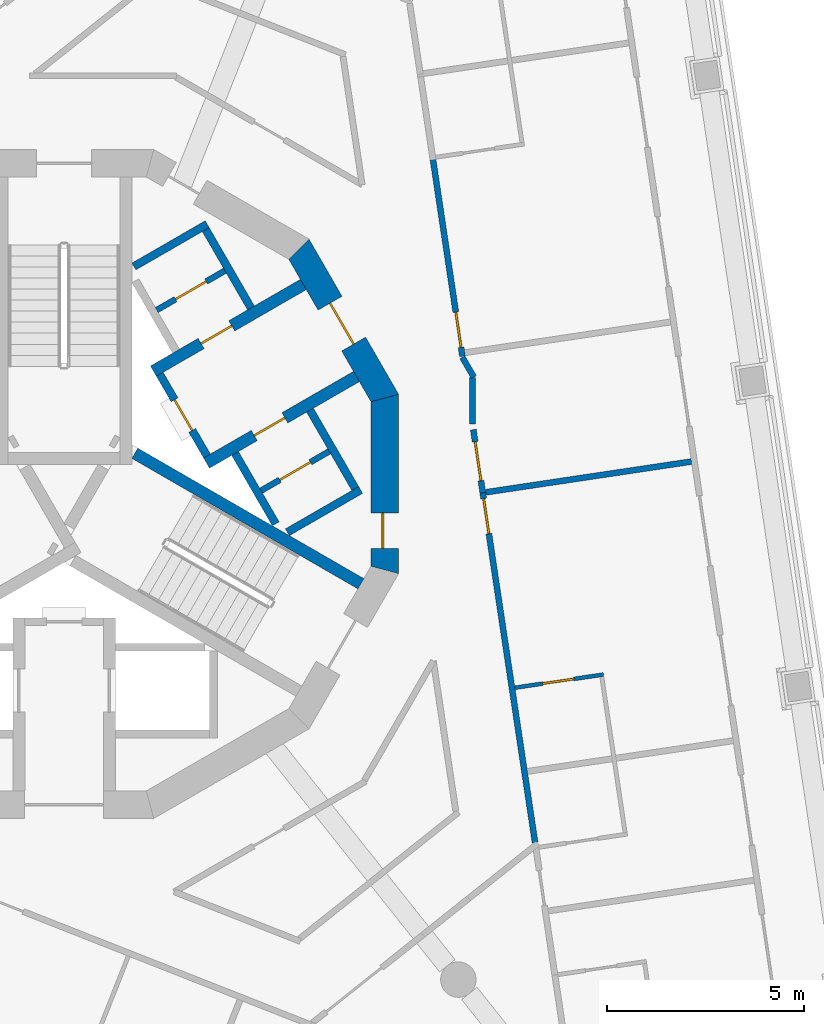
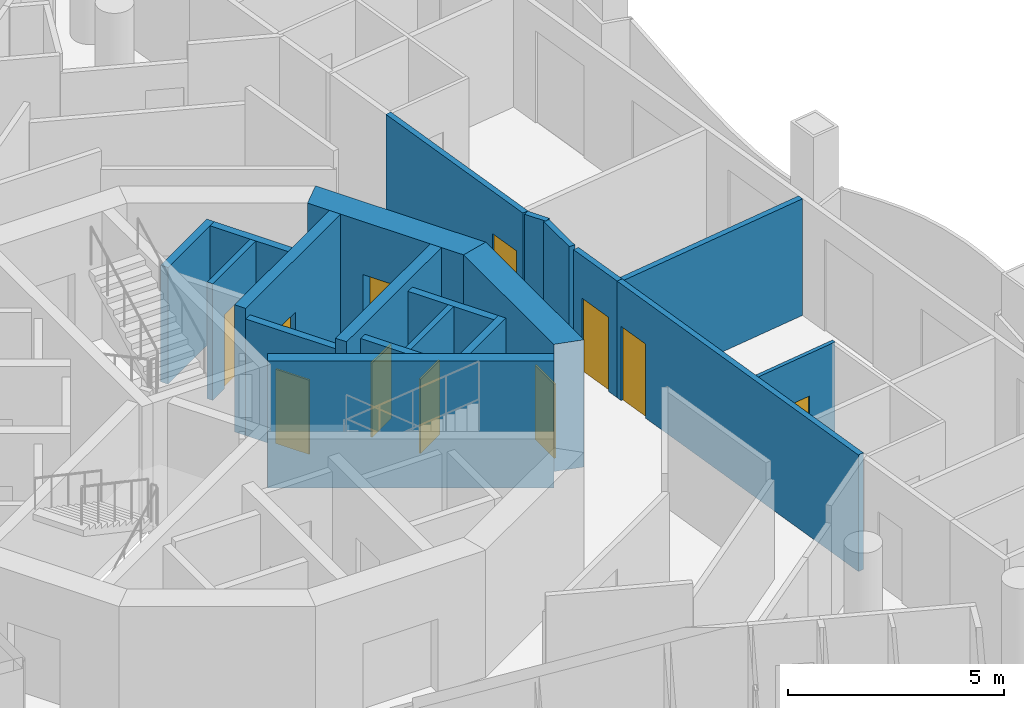
# One storey, part 6 of 16: 20 walls, 11 doors, 11 openings.
"""IFC4 building model written with IfcOpenShell, lengths in metres."""

from ifc_helpers import new_model, si_unit, direction, frame, frame_2d, origin, place, context, subcontext, project, spatial, polyline, rectangle, outline, extrude, material, layer, layer_set, type_object, element, fill, save


model = new_model("IFC4")

# Units and contexts
model_context = context("Model", 3, precision=1e-05, world=origin(), true_north=direction((0.0, 1.0)))
body_context = subcontext(model_context, "Body", "Model", "MODEL_VIEW")
ifc_project = project(units=[si_unit("LENGTHUNIT", "METRE"), si_unit("AREAUNIT", "SQUARE_METRE"), si_unit("VOLUMEUNIT", "CUBIC_METRE"), si_unit("PLANEANGLEUNIT", "RADIAN"), si_unit("MASSUNIT", "GRAM", prefix="KILO")], contexts=[model_context])

# Site, building, storey
site_placement = place(None, origin())
site = spatial("IfcSite", under=ifc_project, at=site_placement, CompositionType="ELEMENT")
building_placement = place(site_placement, origin())
building = spatial("IfcBuilding", under=site, at=building_placement, Name="Trine Commons Tower", CompositionType="ELEMENT")
storey_placement = place(building_placement, frame((0.0, 0.0, 205.199951171875)))
storey = spatial("IfcBuildingStorey", under=building, at=storey_placement, Name="L53", CompositionType="ELEMENT", Elevation=205.199951171875)

# Wall, opening, door
ifc_material_1 = material(Name="Plasterboard partition on steel studs", Category="steel")
ifc_layer_1 = layer(ifc_material_1, 0.14990234375)
ifc_layer_set_1 = layer_set([ifc_layer_1], Name="Plasterboard partition on steel studs")
wall_type_1 = type_object("IfcWallType", Name="Core room partition 150 mm, EI 60", PredefinedType="PARTITIONING", material=ifc_layer_set_1)
wall_1_placement = place(storey_placement, frame((82.35498046875, 66.919921875, 0.0), z_axis=(0.0, 0.0, 1.0), x_axis=(0.866010750942, 0.50002537861, 0.0)))
wall_1 = element("IfcWall", 1, at=wall_1_placement, inside=storey, type_object=wall_type_1, Name="Core room partition L53", PredefinedType="PARTITIONING", context=body_context, shape_type="SweptSolid", body=[
    extrude(rectangle(XDim=2.0, YDim=0.14990234375, at=frame_2d((1.0, 0.0))), origin(), (0.0, 0.0, 1.0), 3.300048828125),
])
opening_1_placement = place(wall_1_placement, frame((0.550537109375, 0.0, 0.0)))
opening_1 = element("IfcOpeningElement", 2, at=opening_1_placement, cuts=wall_1, Name="Opening K15.11", PredefinedType="OPENING", context=body_context, shape_type="SweptSolid", body=[
    extrude(rectangle(XDim=0.89990234375, YDim=2.10009765625, at=frame_2d((0.449951171875, 1.050048828125))), frame((0.0, 0.0849609375, 0.0), z_axis=(0.0, -1.0, 0.0), x_axis=(1.0, 0.0, 0.0)), (0.0, 0.0, 1.0), 0.169921875),
])
ifc_material_2 = material(Name="Steel door leaf, fire-rated", Category="steel")
door_type_1 = type_object("IfcDoorType", Name="Core room door, single leaf 900 x 2100, FD30S", OperationType="SINGLE_SWING_LEFT", PredefinedType="DOOR", material=ifc_material_2)
door_1_placement = place(opening_1_placement, origin())
door_1 = element("IfcDoor", 3, at=door_1_placement, inside=storey, type_object=door_type_1, Name="Door to Parcel store L53", OperationType="SINGLE_SWING_RIGHT", OverallHeight=2.10009765625, OverallWidth=0.89990234375, PredefinedType="DOOR", context=body_context, shape_type="SweptSolid", body=[
    extrude(rectangle(XDim=0.89990234375, YDim=2.10009765625, at=frame_2d((0.449951171875, 1.050048828125))), frame((0.0, 0.02490234375, 0.0), z_axis=(0.0, -1.0, 0.0), x_axis=(1.0, 0.0, 0.0)), (0.0, 0.0, 1.0), 0.050048828125),
])
fill(opening_1, door_1)

wall_2_placement = place(storey_placement, frame((85.006103515625, 62.330078125, 0.0), z_axis=(0.0, 0.0, 1.0), x_axis=(0.866010750942, 0.50002537861, 0.0)))
wall_2 = element("IfcWall", 4, at=wall_2_placement, inside=storey, type_object=wall_type_1, Name="Core room partition L53", PredefinedType="PARTITIONING", context=body_context, shape_type="SweptSolid", body=[
    extrude(rectangle(XDim=2.0, YDim=0.14990234375, at=frame_2d((1.0, 0.0))), origin(), (0.0, 0.0, 1.0), 3.300048828125),
])
opening_2_placement = place(wall_2_placement, frame((0.549560546875, 0.0, 0.0)))
opening_2 = element("IfcOpeningElement", 5, at=opening_2_placement, cuts=wall_2, Name="Opening K15.13", PredefinedType="OPENING", context=body_context, shape_type="SweptSolid", body=[
    extrude(rectangle(XDim=0.89990234375, YDim=2.10009765625, at=frame_2d((0.449951171875, 1.050048828125))), frame((0.0, 0.0849609375, 0.0), z_axis=(0.0, -1.0, 0.0), x_axis=(1.0, 0.0, 0.0)), (0.0, 0.0, 1.0), 0.169921875),
])
door_2_placement = place(opening_2_placement, frame((0.89990234375, 0.0, 0.0), z_axis=(0.0, 0.0, 1.0), x_axis=(-1.0, 0.0, 0.0)))
door_2 = element("IfcDoor", 6, at=door_2_placement, inside=storey, type_object=door_type_1, Name="Door to Print room L53", OperationType="SINGLE_SWING_LEFT", OverallHeight=2.10009765625, OverallWidth=0.89990234375, PredefinedType="DOOR", context=body_context, shape_type="SweptSolid", body=[
    extrude(rectangle(XDim=0.89990234375, YDim=2.10009765625, at=frame_2d((0.449951171875, 1.050048828125))), frame((0.0, 0.02490234375, 0.0), z_axis=(0.0, -1.0, 0.0), x_axis=(1.0, 0.0, 0.0)), (0.0, 0.0, 1.0), 0.050048828125),
])
fill(opening_2, door_2)

ifc_material_3 = material(Name="Fire-rated gypsum shaft wall system")
ifc_layer_2 = layer(ifc_material_3, 0.199951171875)
ifc_layer_set_2 = layer_set([ifc_layer_2], Name="Fire-rated gypsum shaft wall system")
wall_type_2 = type_object("IfcWallType", Name="Lobby end wall 200 mm, EI 120", PredefinedType="PARTITIONING", material=ifc_layer_set_2)
wall_3_placement = place(storey_placement, frame((83.631103515625, 63.2109375, 0.0), z_axis=(0.0, 0.0, 1.0), x_axis=(-0.50012165622, 0.865955154139, 0.0)))
wall_3 = element("IfcWall", 7, at=wall_3_placement, inside=storey, type_object=wall_type_2, Name="Lobby end wall L53", PredefinedType="PARTITIONING", context=body_context, shape_type="SweptSolid", body=[
    extrude(rectangle(XDim=2.39990234375, YDim=0.199951171875, at=frame_2d((1.199951171875, 0.0))), origin(), (0.0, 0.0, 1.0), 3.300048828125),
])
opening_3_placement = place(wall_3_placement, frame((0.749755859375, 0.0, 0.0)))
opening_3 = element("IfcOpeningElement", 8, at=opening_3_placement, cuts=wall_3, Name="Opening K15.05", PredefinedType="OPENING", context=body_context, shape_type="SweptSolid", body=[
    extrude(rectangle(XDim=0.89990234375, YDim=2.10009765625, at=frame_2d((0.449951171875, 1.050048828125))), frame((0.0, 0.10986328125, 0.0), z_axis=(0.0, -1.0, 0.0), x_axis=(1.0, 0.0, 0.0)), (0.0, 0.0, 1.0), 0.219970703125),
])
door_type_2 = type_object("IfcDoorType", Name="Riser access door, single leaf 900 x 2100, FD60", OperationType="SINGLE_SWING_LEFT", PredefinedType="DOOR", material=ifc_material_2)
door_3_placement = place(opening_3_placement, frame((0.89990234375, 0.0, 0.0), z_axis=(0.0, 0.0, 1.0), x_axis=(-1.0, 0.0, 0.0)))
door_3 = element("IfcDoor", 9, at=door_3_placement, inside=storey, type_object=door_type_2, Name="Riser door, Electrical riser L53", OperationType="SINGLE_SWING_LEFT", OverallHeight=2.10009765625, OverallWidth=0.89990234375, PredefinedType="DOOR", context=body_context, shape_type="SweptSolid", body=[
    extrude(rectangle(XDim=0.89990234375, YDim=2.10009765625, at=frame_2d((0.449951171875, 1.050048828125))), frame((0.0, 0.02490234375, 0.0), z_axis=(0.0, -1.0, 0.0), x_axis=(1.0, 0.0, 0.0)), (0.0, 0.0, 1.0), 0.050048828125),
])
fill(opening_3, door_3)

ifc_material_4 = material(Name="Concrete C60/75", Category="concrete")
ifc_layer_3 = layer(ifc_material_4, 0.300048828125)
ifc_layer_set_3 = layer_set([ifc_layer_3], Name="Concrete C60/75")
wall_type_3 = type_object("IfcWallType", Name="RC shear wall 300 mm, C60/75", PredefinedType="SHEAR", material=ifc_layer_set_3)
wall_4_placement = place(storey_placement, frame((82.26904296875, 65.368896484375, 0.0), z_axis=(0.0, 0.0, 1.0), x_axis=(0.866035918664, 0.499981787252, 0.0)))
wall_4 = element("IfcWall", 10, at=wall_4_placement, inside=storey, type_object=wall_type_3, Name="Core cross wall SWC-05 L53", PredefinedType="SHEAR", context=body_context, shape_type="SweptSolid", body=[
    extrude(rectangle(XDim=4.400634765625, YDim=0.300048828125, at=frame_2d((2.2001953125, 0.0))), origin(), (0.0, 0.0, 1.0), 3.60009765625),
])
opening_4_placement = place(wall_4_placement, frame((1.400390625, 0.0, 0.0)))
opening_4 = element("IfcOpeningElement", 11, at=opening_4_placement, cuts=wall_4, Name="Opening K15.10", PredefinedType="OPENING", context=body_context, shape_type="SweptSolid", body=[
    extrude(rectangle(XDim=0.89990234375, YDim=2.10009765625, at=frame_2d((0.449951171875, 1.050048828125))), frame((0.0, 0.159912109375, 0.0), z_axis=(0.0, -1.0, 0.0), x_axis=(1.0, 0.0, 0.0)), (0.0, 0.0, 1.0), 0.320068359375),
])
door_4_placement = place(opening_4_placement, origin())
door_4 = element("IfcDoor", 12, at=door_4_placement, inside=storey, type_object=door_type_1, Name="Door to Comms room L53", OperationType="SINGLE_SWING_LEFT", OverallHeight=2.10009765625, OverallWidth=0.89990234375, PredefinedType="DOOR", context=body_context, shape_type="SweptSolid", body=[
    extrude(rectangle(XDim=0.89990234375, YDim=2.10009765625, at=frame_2d((0.449951171875, 1.050048828125))), frame((0.0, 0.02490234375, 0.0), z_axis=(0.0, -1.0, 0.0), x_axis=(1.0, 0.0, 0.0)), (0.0, 0.0, 1.0), 0.050048828125),
])
fill(opening_4, door_4)

wall_5_placement = place(storey_placement, frame((83.618896484375, 63.031005859375, 0.0), z_axis=(0.0, 0.0, 1.0), x_axis=(0.866059941101, 0.499940174841, 0.0)))
wall_5 = element("IfcWall", 13, at=wall_5_placement, inside=storey, type_object=wall_type_3, Name="Core cross wall SWC-06 L53", PredefinedType="SHEAR", context=body_context, shape_type="SweptSolid", body=[
    extrude(rectangle(XDim=4.400390625, YDim=0.300048828125, at=frame_2d((2.2001953125, 0.0))), origin(), (0.0, 0.0, 1.0), 3.60009765625),
])
opening_5_placement = place(wall_5_placement, frame((1.400390625, 0.0, 0.0)))
opening_5 = element("IfcOpeningElement", 14, at=opening_5_placement, cuts=wall_5, Name="Opening K15.12", PredefinedType="OPENING", context=body_context, shape_type="SweptSolid", body=[
    extrude(rectangle(XDim=0.89990234375, YDim=2.10009765625, at=frame_2d((0.449951171875, 1.050048828125))), frame((0.0, 0.159912109375, 0.0), z_axis=(0.0, -1.0, 0.0), x_axis=(1.0, 0.0, 0.0)), (0.0, 0.0, 1.0), 0.320068359375),
])
door_5_placement = place(opening_5_placement, frame((0.89990234375, 0.0, 0.0), z_axis=(0.0, 0.0, 1.0), x_axis=(-1.0, 0.0, 0.0)))
door_5 = element("IfcDoor", 15, at=door_5_placement, inside=storey, type_object=door_type_1, Name="Door to Cleaner's store L53", OperationType="SINGLE_SWING_LEFT", OverallHeight=2.10009765625, OverallWidth=0.89990234375, PredefinedType="DOOR", context=body_context, shape_type="SweptSolid", body=[
    extrude(rectangle(XDim=0.89990234375, YDim=2.10009765625, at=frame_2d((0.449951171875, 1.050048828125))), frame((0.0, 0.02490234375, 0.0), z_axis=(0.0, -1.0, 0.0), x_axis=(1.0, 0.0, 0.0)), (0.0, 0.0, 1.0), 0.050048828125),
])
fill(opening_5, door_5)

# Wall
wall_6_placement = place(storey_placement, frame((81.800048828125, 63.280029296875, 0.0), z_axis=(0.0, 0.0, 1.0), x_axis=(0.866009627307, -0.500027324665, 0.0)))
element("IfcWall", 16, at=wall_6_placement, inside=storey, type_object=wall_type_3, Name="Core cross wall SWC-18 L53", PredefinedType="SHEAR", context=body_context, shape_type="SweptSolid", body=[
    extrude(rectangle(XDim=6.631591796875, YDim=0.300048828125, at=frame_2d((3.31591796875, 0.0))), origin(), (0.0, 0.0, 1.0), 3.60009765625),
])

# Wall, opening, door
ifc_layer_4 = layer(ifc_material_4, 0.699951171875)
ifc_layer_set_4 = layer_set([ifc_layer_4], Name="Concrete C60/75")
wall_type_4 = type_object("IfcWallType", Name="RC shear wall 700 mm, C60/75", PredefinedType="SHEAR", material=ifc_layer_set_4)
wall_7_placement = place(storey_placement, frame((88.150146484375, 60.222412109375, 0.0), z_axis=(0.0, 0.0, 1.0), x_axis=(0.0, 1.0, 0.0)))
wall_7 = element("IfcWall", 17, at=wall_7_placement, inside=storey, type_object=wall_type_4, Name="Core wall CWF-01 L53", PredefinedType="SHEAR", context=body_context, shape_type="SweptSolid", body=[
    extrude(outline(polyline([(0.0, -0.35009765625), (4.55517578125, -0.35009765625), (4.36767578125, 0.35009765625), (0.1875, 0.35009765625), (0.0, -0.35009765625)])), origin(), (0.0, 0.0, 1.0), 3.60009765625),
])
opening_6_placement = place(wall_7_placement, frame((0.6416015625, 0.0, 0.0)))
opening_6 = element("IfcOpeningElement", 18, at=opening_6_placement, cuts=wall_7, Name="Opening K15.17", PredefinedType="OPENING", context=body_context, shape_type="SweptSolid", body=[
    extrude(rectangle(XDim=0.89990234375, YDim=2.10009765625, at=frame_2d((0.449951171875, 1.050048828125))), frame((0.0, 0.35986328125, 0.0), z_axis=(0.0, -1.0, 0.0), x_axis=(1.0, 0.0, 0.0)), (0.0, 0.0, 1.0), 0.719970703125),
])
door_6_placement = place(opening_6_placement, origin())
door_6 = element("IfcDoor", 19, at=door_6_placement, inside=storey, type_object=door_type_1, Name="Door to Core WC L53", OperationType="SINGLE_SWING_LEFT", OverallHeight=2.10009765625, OverallWidth=0.89990234375, PredefinedType="DOOR", context=body_context, shape_type="SweptSolid", body=[
    extrude(rectangle(XDim=0.89990234375, YDim=2.10009765625, at=frame_2d((0.449951171875, 1.050048828125))), frame((0.0, 0.0751953125, 0.0), z_axis=(0.0, -1.0, 0.0), x_axis=(1.0, 0.0, 0.0)), (0.0, 0.0, 1.0), 0.050048828125),
])
fill(opening_6, door_6)

wall_8_placement = place(storey_placement, frame((88.197021484375, 64.6025390625, 0.0), z_axis=(0.0, 0.0, 1.0), x_axis=(-0.499983800959, 0.866034756103, 0.0)))
wall_8 = element("IfcWall", 20, at=wall_8_placement, inside=storey, type_object=wall_type_4, Name="Core wall CWF-02 L53", PredefinedType="SHEAR", context=body_context, shape_type="SweptSolid", body=[
    extrude(outline(polyline([(0.0, -0.35009765625), (4.55517578125, -0.35009765625), (4.36767578125, 0.35009765625), (0.1875, 0.35009765625), (0.0, -0.35009765625)])), origin(), (0.0, 0.0, 1.0), 3.60009765625),
])
opening_7_placement = place(wall_8_placement, frame((1.677490234375, 0.0, 0.0)))
opening_7 = element("IfcOpeningElement", 21, at=opening_7_placement, cuts=wall_8, Name="Opening K15.04", PredefinedType="OPENING", context=body_context, shape_type="SweptSolid", body=[
    extrude(rectangle(XDim=1.199951171875, YDim=2.10009765625, at=frame_2d((0.60009765625, 1.050048828125))), frame((0.0, 0.35986328125, 0.0), z_axis=(0.0, -1.0, 0.0), x_axis=(1.0, 0.0, 0.0)), (0.0, 0.0, 1.0), 0.719970703125),
])
ifc_material_5 = material(Name="Steel door leaves, fire-rated", Category="steel")
door_type_3 = type_object("IfcDoorType", Name="Lobby door, double leaf 1200 x 2100, FD60", OperationType="DOUBLE_DOOR_SINGLE_SWING", PredefinedType="DOOR", material=ifc_material_5)
door_7_placement = place(opening_7_placement, origin())
door_7 = element("IfcDoor", 22, at=door_7_placement, inside=storey, type_object=door_type_3, Name="Lobby door, Core lounge L53", OperationType="DOUBLE_DOOR_SINGLE_SWING", OverallHeight=2.10009765625, OverallWidth=1.199951171875, PredefinedType="DOOR", context=body_context, shape_type="SweptSolid", body=[
    extrude(rectangle(XDim=1.199951171875, YDim=2.10009765625, at=frame_2d((0.60009765625, 1.050048828125))), frame((0.0, 0.02490234375, 0.0), z_axis=(0.0, -1.0, 0.0), x_axis=(1.0, 0.0, 0.0)), (0.0, 0.0, 1.0), 0.050048828125),
])
fill(opening_7, door_7)

# Walls
ifc_layer_5 = layer(ifc_material_3, 0.199951171875)
ifc_layer_set_5 = layer_set([ifc_layer_5], Name="Fire-rated gypsum shaft wall system")
wall_type_5 = type_object("IfcWallType", Name="Shaft wall 200 mm, EI 120", PredefinedType="PARTITIONING", material=ifc_layer_set_5)
wall_9_placement = place(storey_placement, frame((81.77490234375, 68.028076171875, 0.0), z_axis=(0.0, 0.0, 1.0), x_axis=(0.866130725101, 0.499817533742, 0.0)))
element("IfcWall", 23, at=wall_9_placement, inside=storey, type_object=wall_type_5, Name="Shaft wall L53", PredefinedType="PARTITIONING", context=body_context, shape_type="SweptSolid", body=[
    extrude(rectangle(XDim=2.148681640625, YDim=0.199951171875, at=frame_2d((1.07421875, 0.0))), origin(), (0.0, 0.0, 1.0), 3.300048828125),
])
wall_10_placement = place(storey_placement, frame((84.343994140625, 63.27587890625, 0.0), z_axis=(0.0, 0.0, 1.0), x_axis=(0.500271688072, -0.86586848777, 0.0)))
element("IfcWall", 24, at=wall_10_placement, inside=storey, type_object=wall_type_5, Name="Shaft wall L53", PredefinedType="PARTITIONING", context=body_context, shape_type="SweptSolid", body=[
    extrude(rectangle(XDim=2.064697265625, YDim=0.199951171875, at=frame_2d((1.0322265625, 0.0))), origin(), (0.0, 0.0, 1.0), 3.300048828125),
])
wall_11_placement = place(storey_placement, frame((84.7490234375, 66.97412109375, 0.0), z_axis=(0.0, 0.0, 1.0), x_axis=(-0.500136062276, 0.86594683394, 0.0)))
element("IfcWall", 25, at=wall_11_placement, inside=storey, type_object=wall_type_5, Name="Shaft wall L53", PredefinedType="PARTITIONING", context=body_context, shape_type="SweptSolid", body=[
    extrude(rectangle(XDim=2.299072265625, YDim=0.199951171875, at=frame_2d((1.1494140625, 0.0))), origin(), (0.0, 0.0, 1.0), 3.300048828125),
])
wall_12_placement = place(storey_placement, frame((85.675048828125, 61.27392578125, 0.0), z_axis=(0.0, 0.0, 1.0), x_axis=(0.866102336459, 0.499866725018, 0.0)))
element("IfcWall", 26, at=wall_12_placement, inside=storey, type_object=wall_type_5, Name="Shaft wall L53", PredefinedType="PARTITIONING", context=body_context, shape_type="SweptSolid", body=[
    extrude(rectangle(XDim=2.1484375, YDim=0.199951171875, at=frame_2d((1.07421875, 0.0))), origin(), (0.0, 0.0, 1.0), 3.300048828125),
])
wall_13_placement = place(storey_placement, frame((86.2490234375, 64.3759765625, 0.0), z_axis=(0.0, 0.0, 1.0), x_axis=(0.500136062276, -0.86594683394, 0.0)))
element("IfcWall", 27, at=wall_13_placement, inside=storey, type_object=wall_type_5, Name="Shaft wall L53", PredefinedType="PARTITIONING", context=body_context, shape_type="SweptSolid", body=[
    extrude(rectangle(XDim=2.299072265625, YDim=0.199951171875, at=frame_2d((1.1494140625, 0.0))), origin(), (0.0, 0.0, 1.0), 3.300048828125),
])

# Wall, opening, door
ifc_material_6 = material(Name="Gypsum plasterboard on steel stud", Category="steel")
ifc_layer_6 = layer(ifc_material_6, 0.14990234375)
ifc_layer_set_6 = layer_set([ifc_layer_6], Name="Gypsum plasterboard on steel stud")
wall_type_6 = type_object("IfcWallType", Name="Unit and corridor wall 150 mm, EI 60", PredefinedType="PARTITIONING", material=ifc_layer_set_6)
wall_14_placement = place(storey_placement, frame((89.366943359375, 70.794921875, 0.0), z_axis=(0.0, 0.0, 1.0), x_axis=(0.147912499189, -0.989000451256, 0.0)))
wall_14 = element("IfcWall", 28, at=wall_14_placement, inside=storey, type_object=wall_type_6, Name="Partition 101", PredefinedType="PARTITIONING", context=body_context, shape_type="SweptSolid", body=[
    extrude(rectangle(XDim=5.105224609375, YDim=0.14990234375, at=frame_2d((2.552734375, 0.0))), origin(), (0.0, 0.0, 1.0), 3.300048828125),
])
opening_8_placement = place(wall_14_placement, frame((3.976318359375, 0.0, 0.0)))
opening_8 = element("IfcOpeningElement", 29, at=opening_8_placement, cuts=wall_14, Name="Opening D-6A15", PredefinedType="OPENING", context=body_context, shape_type="SweptSolid", body=[
    extrude(rectangle(XDim=0.89990234375, YDim=2.10009765625, at=frame_2d((0.449951171875, 1.050048828125))), frame((0.0, 0.0849609375, 0.0), z_axis=(0.0, -1.0, 0.0), x_axis=(1.0, 0.0, 0.0)), (0.0, 0.0, 1.0), 0.169921875),
])
ifc_material_7 = material(Name="Timber fire door set", Category="wood")
door_type_4 = type_object("IfcDoorType", Name="Bedroom door 900 x 2100, FD30S", OperationType="NOTDEFINED", PredefinedType="DOOR", material=ifc_material_7)
door_8_placement = place(opening_8_placement, origin())
door_8 = element("IfcDoor", 30, at=door_8_placement, inside=storey, type_object=door_type_4, Name="Door D-6A15", OperationType="SINGLE_SWING_RIGHT", OverallHeight=2.10009765625, OverallWidth=0.89990234375, PredefinedType="DOOR", context=body_context, shape_type="SweptSolid", body=[
    extrude(rectangle(XDim=0.89990234375, YDim=2.10009765625, at=frame_2d((0.449951171875, 1.050048828125))), frame((0.0, 0.02490234375, 0.0), z_axis=(0.0, -1.0, 0.0), x_axis=(1.0, 0.0, 0.0)), (0.0, 0.0, 1.0), 0.050048828125),
])
fill(opening_8, door_8)

# Walls
wall_15_placement = place(storey_placement, frame((90.12109375, 65.718994140625, 0.0), z_axis=(0.0, 0.0, 1.0), x_axis=(0.500738673164, -0.865598510395, 0.0)))
element("IfcWall", 31, at=wall_15_placement, inside=storey, type_object=wall_type_6, Name="Partition 105", PredefinedType="PARTITIONING", context=body_context, shape_type="SweptSolid", body=[
    extrude(rectangle(XDim=0.58203125, YDim=0.14990234375, at=frame_2d((0.291015625, 0.0))), origin(), (0.0, 0.0, 1.0), 3.300048828125),
])
wall_16_placement = place(storey_placement, frame((90.375, 64.02294921875, 0.0), z_axis=(0.0, 0.0, 1.0), x_axis=(0.0, 1.0, 0.0)))
element("IfcWall", 32, at=wall_16_placement, inside=storey, type_object=wall_type_6, Name="Partition 109", PredefinedType="PARTITIONING", context=body_context, shape_type="SweptSolid", body=[
    extrude(rectangle(XDim=1.18212890625, YDim=0.14990234375, at=frame_2d((0.591064453125, 0.0))), origin(), (0.0, 0.0, 1.0), 3.300048828125),
])

# Wall, opening, door
wall_17_placement = place(storey_placement, frame((90.39990234375, 63.882080078125, 0.0), z_axis=(0.0, 0.0, 1.0), x_axis=(0.147511205878, -0.989060384476, 0.0)))
wall_17 = element("IfcWall", 33, at=wall_17_placement, inside=storey, type_object=wall_type_6, Name="Partition 110", PredefinedType="PARTITIONING", context=body_context, shape_type="SweptSolid", body=[
    extrude(rectangle(XDim=1.626953125, YDim=0.14990234375, at=frame_2d((0.8134765625, 0.0))), origin(), (0.0, 0.0, 1.0), 3.300048828125),
])
opening_9_placement = place(wall_17_placement, frame((0.311279296875, 0.0, 0.0)))
opening_9 = element("IfcOpeningElement", 34, at=opening_9_placement, cuts=wall_17, Name="Opening D-6A16", PredefinedType="OPENING", context=body_context, shape_type="SweptSolid", body=[
    extrude(rectangle(XDim=1.0, YDim=2.10009765625, at=frame_2d((0.5, 1.050048828125))), frame((0.0, 0.0849609375, 0.0), z_axis=(0.0, -1.0, 0.0), x_axis=(1.0, 0.0, 0.0)), (0.0, 0.0, 1.0), 0.169921875),
])
ifc_material_8 = material(Name="Painted timber", Category="wood")
door_type_5 = type_object("IfcDoorType", Name="Amenity room door 1000 x 2100, NOT RATED", OperationType="NOTDEFINED", PredefinedType="DOOR", material=ifc_material_8)
door_9_placement = place(opening_9_placement, origin())
door_9 = element("IfcDoor", 35, at=door_9_placement, inside=storey, type_object=door_type_5, Name="Door D-6A16", OperationType="SINGLE_SWING_LEFT", OverallHeight=2.10009765625, OverallWidth=1.0, PredefinedType="DOOR", context=body_context, shape_type="SweptSolid", body=[
    extrude(rectangle(XDim=1.0, YDim=2.10009765625, at=frame_2d((0.5, 1.050048828125))), frame((0.0, 0.02490234375, 0.0), z_axis=(0.0, -1.0, 0.0), x_axis=(1.0, 0.0, 0.0)), (0.0, 0.0, 1.0), 0.050048828125),
])
fill(opening_9, door_9)

wall_18_placement = place(storey_placement, frame((90.6279296875, 62.355224609375, 0.0), z_axis=(0.0, 0.0, 1.0), x_axis=(0.147851766837, -0.989009532332, 0.0)))
wall_18 = element("IfcWall", 36, at=wall_18_placement, inside=storey, type_object=wall_type_6, Name="Partition 111", PredefinedType="PARTITIONING", context=body_context, shape_type="SweptSolid", body=[
    extrude(rectangle(XDim=9.063720703125, YDim=0.14990234375, at=frame_2d((4.53173828125, 0.0))), origin(), (0.0, 0.0, 1.0), 3.300048828125),
])
opening_10_placement = place(wall_18_placement, frame((0.22900390625, 0.0, 0.0)))
opening_10 = element("IfcOpeningElement", 37, at=opening_10_placement, cuts=wall_18, Name="Opening D-6A17", PredefinedType="OPENING", context=body_context, shape_type="SweptSolid", body=[
    extrude(rectangle(XDim=0.89990234375, YDim=2.10009765625, at=frame_2d((0.449951171875, 1.050048828125))), frame((0.0, 0.0849609375, 0.0), z_axis=(0.0, -1.0, 0.0), x_axis=(1.0, 0.0, 0.0)), (0.0, 0.0, 1.0), 0.169921875),
])
door_10_placement = place(opening_10_placement, origin())
door_10 = element("IfcDoor", 38, at=door_10_placement, inside=storey, type_object=door_type_4, Name="Door D-6A17", OperationType="SINGLE_SWING_LEFT", OverallHeight=2.10009765625, OverallWidth=0.89990234375, PredefinedType="DOOR", context=body_context, shape_type="SweptSolid", body=[
    extrude(rectangle(XDim=0.89990234375, YDim=2.10009765625, at=frame_2d((0.449951171875, 1.050048828125))), frame((0.0, 0.02490234375, 0.0), z_axis=(0.0, -1.0, 0.0), x_axis=(1.0, 0.0, 0.0)), (0.0, 0.0, 1.0), 0.050048828125),
])
fill(opening_10, door_10)

# Wall
wall_19_placement = place(storey_placement, frame((90.714111328125, 62.2880859375, 0.0), z_axis=(0.0, 0.0, 1.0), x_axis=(0.988994889639, 0.147949681543, 0.0)))
element("IfcWall", 39, at=wall_19_placement, inside=storey, type_object=wall_type_6, Name="Partition 112", PredefinedType="PARTITIONING", context=body_context, shape_type="SweptSolid", body=[
    extrude(rectangle(XDim=5.285400390625, YDim=0.14990234375, at=frame_2d((2.642578125, 0.0))), origin(), (0.0, 0.0, 1.0), 3.300048828125),
])

# Wall, opening, door
ifc_layer_7 = layer(ifc_material_6, 0.10009765625)
ifc_layer_set_7 = layer_set([ifc_layer_7], Name="Gypsum plasterboard on steel stud")
wall_type_7 = type_object("IfcWallType", Name="Unit partition 100 mm, no rating", PredefinedType="PARTITIONING", material=ifc_layer_set_7)
wall_20_placement = place(storey_placement, frame((91.456298828125, 57.322021484375, 0.0), z_axis=(0.0, 0.0, 1.0), x_axis=(0.989070541656, 0.147443086062, 0.0)))
wall_20 = element("IfcWall", 40, at=wall_20_placement, inside=storey, type_object=wall_type_7, Name="Partition 114", PredefinedType="PARTITIONING", context=body_context, shape_type="SweptSolid", body=[
    extrude(rectangle(XDim=2.275146484375, YDim=0.10009765625, at=frame_2d((1.1376953125, 0.0))), origin(), (0.0, 0.0, 1.0), 3.300048828125),
])
opening_11_placement = place(wall_20_placement, frame((0.712646484375, 0.0, 0.0)))
opening_11 = element("IfcOpeningElement", 41, at=opening_11_placement, cuts=wall_20, Name="Opening D-6A37", PredefinedType="OPENING", context=body_context, shape_type="SweptSolid", body=[
    extrude(rectangle(XDim=0.800048828125, YDim=2.10009765625, at=frame_2d((0.39990234375, 1.050048828125))), frame((0.0, 0.06005859375, 0.0), z_axis=(0.0, -1.0, 0.0), x_axis=(1.0, 0.0, 0.0)), (0.0, 0.0, 1.0), 0.1201171875),
])
door_type_6 = type_object("IfcDoorType", Name="Internal door 800 x 2100, NOT RATED", OperationType="NOTDEFINED", PredefinedType="DOOR", material=ifc_material_8)
door_11_placement = place(opening_11_placement, origin())
door_11 = element("IfcDoor", 42, at=door_11_placement, inside=storey, type_object=door_type_6, Name="Door D-6A37", OperationType="SINGLE_SWING_LEFT", OverallHeight=2.10009765625, OverallWidth=0.800048828125, PredefinedType="DOOR", context=body_context, shape_type="SweptSolid", body=[
    extrude(rectangle(XDim=0.800048828125, YDim=2.10009765625, at=frame_2d((0.39990234375, 1.050048828125))), frame((0.0, 0.02490234375, 0.0), z_axis=(0.0, -1.0, 0.0), x_axis=(1.0, 0.0, 0.0)), (0.0, 0.0, 1.0), 0.050048828125),
])
fill(opening_11, door_11)

save(model, "model.ifc")
